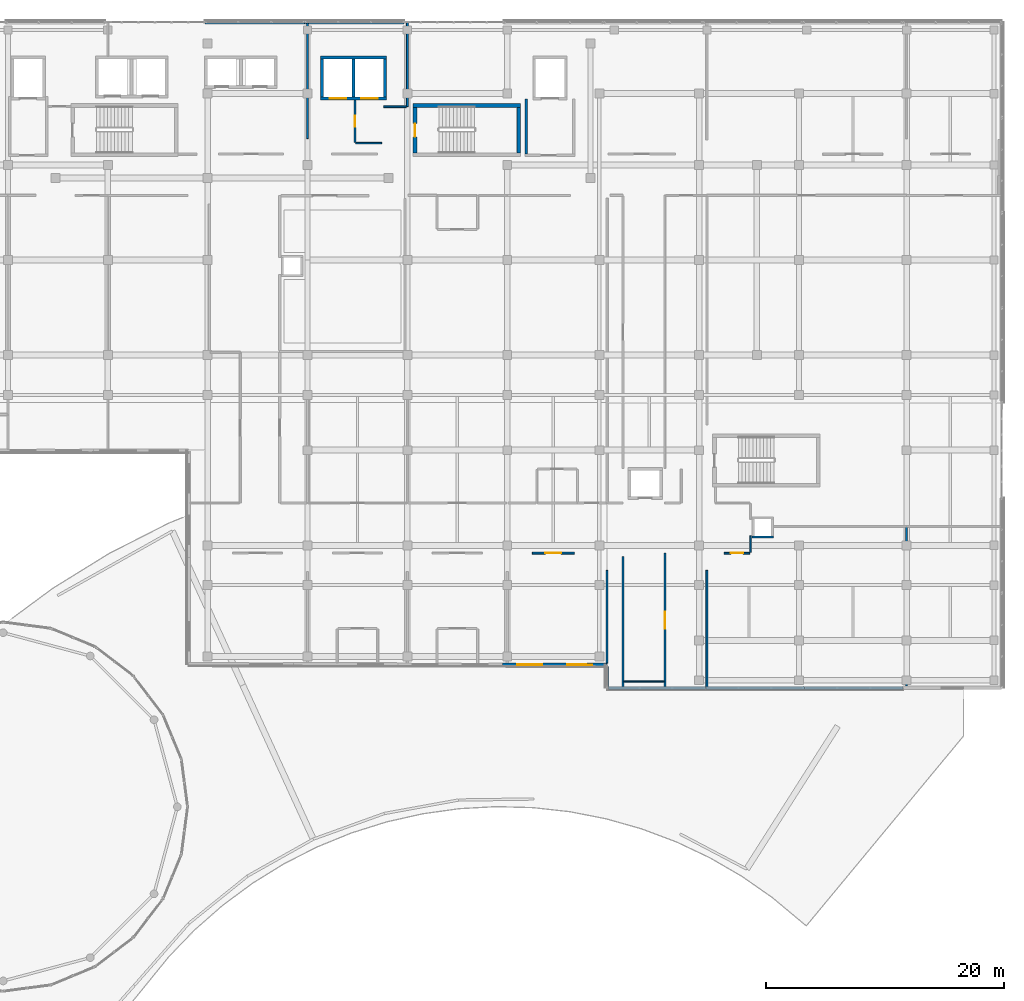
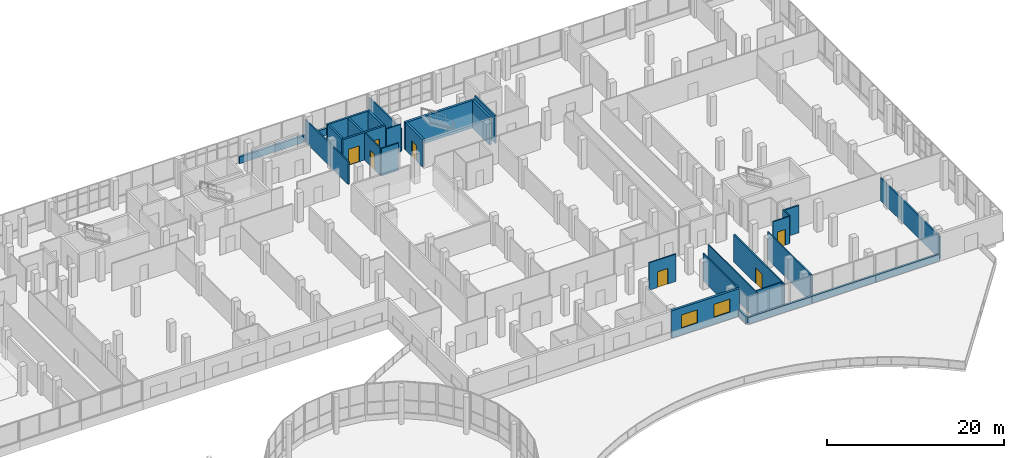
# One storey, part 89 of 101: 31 walls, 7 doors, 2 windows, 9 openings.
"""IFC4 building model written with IfcOpenShell, lengths in metres."""

from ifc_helpers import new_model, si_unit, direction, frame, frame_2d, origin, place, context, subcontext, project, spatial, rectangle, extrude, material, layer, layer_set, type_object, element, fill, save


model = new_model("IFC4")

# Units and contexts
model_context = context("Model", 3, precision=1e-05, world=origin(), true_north=direction((0.0, 1.0)))
body_context = subcontext(model_context, "Body", "Model", "MODEL_VIEW")
ifc_project = project(units=[si_unit("LENGTHUNIT", "METRE"), si_unit("AREAUNIT", "SQUARE_METRE"), si_unit("VOLUMEUNIT", "CUBIC_METRE"), si_unit("PLANEANGLEUNIT", "RADIAN"), si_unit("MASSUNIT", "GRAM", prefix="KILO")], contexts=[model_context])

# Site, building, storey
site_placement = place(None, origin())
site = spatial("IfcSite", under=ifc_project, at=site_placement, CompositionType="ELEMENT")
building_placement = place(site_placement, origin())
building = spatial("IfcBuilding", under=site, at=building_placement, Name="Selatvlak General Hospital", CompositionType="ELEMENT")
storey_placement = place(building_placement, frame((0.0, 0.0, 19.199951171875)))
storey = spatial("IfcBuildingStorey", under=building, at=storey_placement, Name="L04", CompositionType="ELEMENT", Elevation=19.199951171875)

# Wall, openings, windows
ifc_material_1 = material(Name="Precast concrete C40/50 - white fair-faced", Category="concrete")
ifc_layer_1 = layer(ifc_material_1, 0.300048828125, Name="Precast concrete C40/50 - white fair-faced", Category="concrete")
ifc_layer_set_1 = layer_set([ifc_layer_1], Name="Precast concrete C40/50 - white fair-faced")
wall_type_1 = type_object("IfcWallType", Name="WALL-EW-01", PredefinedType="SOLIDWALL", material=ifc_layer_set_1)
wall_1_placement = place(storey_placement, frame((148.800048828125, 65.93994140625, 0.0), z_axis=(0.0, 0.0, 1.0), x_axis=(-0.999998520679, 0.001720069588, 0.0)))
wall_1 = element("IfcWall", 1, at=wall_1_placement, inside=storey, type_object=wall_type_1, Name="L04 exterior wall 0457", PredefinedType="SOLIDWALL", context=body_context, shape_type="SweptSolid", body=[
    extrude(rectangle(XDim=8.800048828125, YDim=0.300048828125, at=frame_2d((4.39990234375, 0.0))), origin(), (0.0, 0.0, 1.0), 3.77001953125),
])
opening_1_placement = place(wall_1_placement, frame((1.238037109375, 0.0, 0.9599609375)))
opening_1 = element("IfcOpeningElement", 2, at=opening_1_placement, cuts=wall_1, Name="Opening WN-21", PredefinedType="OPENING", context=body_context, shape_type="SweptSolid", body=[
    extrude(rectangle(XDim=2.10009765625, YDim=1.800048828125, at=frame_2d((1.050048828125, 0.89990234375))), frame((0.0, 0.159912109375, 0.0), z_axis=(0.0, -1.0, 0.0), x_axis=(1.0, 0.0, 0.0)), (0.0, 0.0, 1.0), 0.320068359375),
])
opening_2_placement = place(wall_1_placement, frame((5.4619140625, 0.0, 0.9599609375)))
opening_2 = element("IfcOpeningElement", 3, at=opening_2_placement, cuts=wall_1, Name="Opening WN-21", PredefinedType="OPENING", context=body_context, shape_type="SweptSolid", body=[
    extrude(rectangle(XDim=2.10009765625, YDim=1.800048828125, at=frame_2d((1.050048828125, 0.89990234375))), frame((0.0, 0.159912109375, 0.0), z_axis=(0.0, -1.0, 0.0), x_axis=(1.0, 0.0, 0.0)), (0.0, 0.0, 1.0), 0.320068359375),
])
ifc_material_2 = material(Name="Thermally broken aluminium Low-E window", Category="aluminium")
window_type = type_object("IfcWindowType", Name="WIN-WN-21", PartitioningType="SINGLE_PANEL", PredefinedType="WINDOW", material=ifc_material_2)
window_1_placement = place(opening_1_placement, origin())
window_1 = element("IfcWindow", 4, at=window_1_placement, inside=storey, type_object=window_type, Name="L04 Bauhaus ribbon window 0076", OverallHeight=1.800048828125, OverallWidth=2.10009765625, PartitioningType="SINGLE_PANEL", PredefinedType="WINDOW", context=body_context, shape_type="SweptSolid", body=[
    extrude(rectangle(XDim=2.10009765625, YDim=1.800048828125, at=frame_2d((1.050048828125, 0.89990234375))), frame((0.0, 0.030029296875, 0.0), z_axis=(0.0, -1.0, 0.0), x_axis=(1.0, 0.0, 0.0)), (0.0, 0.0, 1.0), 0.06005859375),
])
fill(opening_1, window_1)
window_2_placement = place(opening_2_placement, origin())
window_2 = element("IfcWindow", 5, at=window_2_placement, inside=storey, type_object=window_type, Name="L04 Bauhaus ribbon window 0077", OverallHeight=1.800048828125, OverallWidth=2.10009765625, PartitioningType="SINGLE_PANEL", PredefinedType="WINDOW", context=body_context, shape_type="SweptSolid", body=[
    extrude(rectangle(XDim=2.10009765625, YDim=1.800048828125, at=frame_2d((1.050048828125, 0.89990234375))), frame((0.0, 0.030029296875, 0.0), z_axis=(0.0, -1.0, 0.0), x_axis=(1.0, 0.0, 0.0)), (0.0, 0.0, 1.0), 0.06005859375),
])
fill(opening_2, window_2)

# Walls
ifc_material_3 = material(Name="Precast concrete C40/50 - white Bauhaus spandrel", Category="concrete")
ifc_layer_2 = layer(ifc_material_3, 0.280029296875, Name="Precast concrete C40/50 - white Bauhaus spandrel", Category="concrete")
ifc_layer_set_2 = layer_set([ifc_layer_2], Name="Precast concrete C40/50 - white Bauhaus spandrel")
wall_type_2 = type_object("IfcWallType", Name="WALL-EW-02", PredefinedType="SOLIDWALL", material=ifc_layer_set_2)
for number, where, z_axis, x_axis, name in (
    (6, (114.9609375, 120.0, 0.0), (0.0, 0.0, 1.0), (1.0, 0.0, 0.0), "L04 Bauhaus spandrel sill wall 0439"),
    (7, (123.341064453125, 120.0, 0.0), (0.0, 0.0, 1.0), (1.0, 0.0, 0.0), "L04 Bauhaus spandrel sill wall 0440"),
):
    element("IfcWall", number, at=place(storey_placement, frame(where, z_axis=z_axis, x_axis=x_axis)), inside=storey, type_object=wall_type_2, Name=name, PredefinedType="SOLIDWALL", context=body_context, shape_type="SweptSolid", body=[
        extrude(rectangle(XDim=8.3759765625, YDim=0.280029296875, at=frame_2d((4.18798828125, 0.0))), origin(), (0.0, 0.0, 1.0), 0.93994140625),
    ])
wall_2_placement = place(storey_placement, frame((173.697998046875, 64.0009765625, 0.0), z_axis=(0.0, 0.0, 1.0), x_axis=(-1.0, 0.0, 0.0)))
element("IfcWall", 8, at=wall_2_placement, inside=storey, type_object=wall_type_2, Name="L04 Bauhaus spandrel sill wall 0453", PredefinedType="SOLIDWALL", context=body_context, shape_type="SweptSolid", body=[
    extrude(rectangle(XDim=8.2958984375, YDim=0.280029296875, at=frame_2d((4.14794921875, 0.0))), origin(), (0.0, 0.0, 1.0), 0.93994140625),
])
wall_3_placement = place(storey_placement, frame((165.39794921875, 64.0009765625, 0.0), z_axis=(0.0, 0.0, 1.0), x_axis=(-0.99999999307, -0.000117730162, 0.0)))
element("IfcWall", 9, at=wall_3_placement, inside=storey, type_object=wall_type_2, Name="L04 Bauhaus spandrel sill wall 0454", PredefinedType="SOLIDWALL", context=body_context, shape_type="SweptSolid", body=[
    extrude(rectangle(XDim=8.294921875, YDim=0.280029296875, at=frame_2d((4.1474609375, 0.0))), origin(), (0.0, 0.0, 1.0), 0.93994140625),
])
wall_4_placement = place(storey_placement, frame((157.09912109375, 64.0, 0.0), z_axis=(0.0, 0.0, 1.0), x_axis=(-1.0, 0.0, 0.0)))
element("IfcWall", 10, at=wall_4_placement, inside=storey, type_object=wall_type_2, Name="L04 Bauhaus spandrel sill wall 0455", PredefinedType="SOLIDWALL", context=body_context, shape_type="SweptSolid", body=[
    extrude(rectangle(XDim=8.158203125, YDim=0.280029296875, at=frame_2d((4.0791015625, 0.0))), origin(), (0.0, 0.0, 1.0), 0.93994140625),
])
wall_5_placement = place(storey_placement, frame((148.801025390625, 64.139892578125, 0.0), z_axis=(0.0, 0.0, 1.0), x_axis=(-0.000588235192, 0.99999982699, 0.0)))
element("IfcWall", 11, at=wall_5_placement, inside=storey, type_object=wall_type_2, Name="L04 Bauhaus spandrel sill wall 0456", PredefinedType="SOLIDWALL", context=body_context, shape_type="SweptSolid", body=[
    extrude(rectangle(XDim=1.66015625, YDim=0.280029296875, at=frame_2d((0.830078125, 0.0))), origin(), (0.0, 0.0, 1.0), 0.93994140625),
])
ifc_material_4 = material(Name="Concrete C40/50", Category="concrete")
ifc_layer_3 = layer(ifc_material_4, 0.199951171875, Name="Concrete C40/50", Category="concrete")
ifc_layer_set_3 = layer_set([ifc_layer_3], Name="Concrete C40/50")
wall_type_3 = type_object("IfcWallType", Name="WALL-IW-02", PredefinedType="SOLIDWALL", material=ifc_layer_set_3)
wall_6_placement = place(storey_placement, frame((142.0, 113.550048828125, 0.0), z_axis=(0.0, 0.0, 1.0), x_axis=(0.0, -1.0, 0.0)))
element("IfcWall", 12, at=wall_6_placement, inside=storey, type_object=wall_type_3, Name="Firefighting lobby C4 wall L04 W", PredefinedType="SOLIDWALL", context=body_context, shape_type="SweptSolid", body=[
    extrude(rectangle(XDim=4.650146484375, YDim=0.199951171875, at=frame_2d((2.3251953125, 0.0))), origin(), (0.0, 0.0, 1.0), 3.77001953125),
])
wall_7_placement = place(storey_placement, frame((161.0, 76.699951171875, 0.0), z_axis=(0.0, 0.0, 1.0), x_axis=(1.0, 0.0, 0.0)))
element("IfcWall", 13, at=wall_7_placement, inside=storey, type_object=wall_type_3, Name="Service riser 4 shaft wall L04 S", PredefinedType="SOLIDWALL", context=body_context, shape_type="SweptSolid", body=[
    extrude(rectangle(XDim=1.800048828125, YDim=0.199951171875, at=frame_2d((0.89990234375, 0.0))), origin(), (0.0, 0.0, 1.0), 3.77001953125),
])

# Wall, opening, door
ifc_material_5 = material(Name="Acoustic gypsum stud partition")
ifc_layer_4 = layer(ifc_material_5, 0.179931640625, Name="Acoustic gypsum stud partition")
ifc_layer_set_4 = layer_set([ifc_layer_4], Name="Acoustic gypsum stud partition")
wall_type_4 = type_object("IfcWallType", Name="WALL-PT-01", PredefinedType="PARTITIONING", material=ifc_layer_set_4)
wall_8_placement = place(storey_placement, frame((153.659912109375, 64.0419921875, 0.0), z_axis=(0.0, 0.0, 1.0), x_axis=(0.0, 1.0, 0.0)))
wall_8 = element("IfcWall", 14, at=wall_8_placement, inside=storey, type_object=wall_type_4, Name="L04 clinical partition PT-L04-1685", PredefinedType="PARTITIONING", context=body_context, shape_type="SweptSolid", body=[
    extrude(rectangle(XDim=11.298095703125, YDim=0.179931640625, at=frame_2d((5.64892578125, 0.0))), origin(), (0.0, 0.0, 1.0), 3.77001953125),
])
opening_3_placement = place(wall_8_placement, frame((4.948974609375, 0.0, 0.0)))
opening_3 = element("IfcOpeningElement", 15, at=opening_3_placement, cuts=wall_8, Name="Opening D-11", PredefinedType="OPENING", context=body_context, shape_type="SweptSolid", body=[
    extrude(rectangle(XDim=1.39990234375, YDim=2.14990234375, at=frame_2d((0.699951171875, 1.074951171875))), frame((0.0, 0.099853515625, 0.0), z_axis=(0.0, -1.0, 0.0), x_axis=(1.0, 0.0, 0.0)), (0.0, 0.0, 1.0), 0.199951171875),
])
ifc_material_6 = material(Name="Inpatient suite bed door")
door_type_1 = type_object("IfcDoorType", Name="DOOR-D-11", OperationType="NOTDEFINED", PredefinedType="DOOR", material=ifc_material_6)
door_1_placement = place(opening_3_placement, origin())
door_1 = element("IfcDoor", 16, at=door_1_placement, inside=storey, type_object=door_type_1, Name="L04 Lactation Consultation Clinic 05 door", OperationType="SINGLE_SWING_LEFT", OverallHeight=2.14990234375, OverallWidth=1.39990234375, PredefinedType="DOOR", context=body_context, shape_type="SweptSolid", body=[
    extrude(rectangle(XDim=1.39990234375, YDim=2.14990234375, at=frame_2d((0.699951171875, 1.074951171875))), frame((0.0, 0.02490234375, 0.0), z_axis=(0.0, -1.0, 0.0), x_axis=(1.0, 0.0, 0.0)), (0.0, 0.0, 1.0), 0.050048828125),
])
fill(opening_3, door_1)

# Wall
wall_9_placement = place(storey_placement, frame((174.0, 77.5439453125, 0.0), z_axis=(0.0, 0.0, 1.0), x_axis=(0.0, -1.0, 0.0)))
element("IfcWall", 17, at=wall_9_placement, inside=storey, type_object=wall_type_4, Name="L04 clinical partition PT-L04-1690", PredefinedType="PARTITIONING", context=body_context, shape_type="SweptSolid", body=[
    extrude(rectangle(XDim=13.39599609375, YDim=0.179931640625, at=frame_2d((6.697998046875, 0.0))), origin(), (0.0, 0.0, 1.0), 3.1201171875),
])

# Wall, opening, door
ifc_layer_5 = layer(ifc_material_5, 0.1650390625, Name="Acoustic gypsum stud partition")
ifc_layer_set_5 = layer_set([ifc_layer_5], Name="Acoustic gypsum stud partition")
wall_type_5 = type_object("IfcWallType", Name="WALL-PT-02", PredefinedType="PARTITIONING", material=ifc_layer_set_5)
wall_10_placement = place(storey_placement, frame((142.508056640625, 75.340087890625, 0.0), z_axis=(0.0, 0.0, 1.0), x_axis=(1.0, 0.0, 0.0)))
wall_10 = element("IfcWall", 18, at=wall_10_placement, inside=storey, type_object=wall_type_5, Name="L04 clinical partition PT-L04-1681", PredefinedType="PARTITIONING", context=body_context, shape_type="SweptSolid", body=[
    extrude(rectangle(XDim=3.533935546875, YDim=0.1650390625, at=frame_2d((1.76708984375, 0.0))), origin(), (0.0, 0.0, 1.0), 3.77001953125),
])
opening_4_placement = place(wall_10_placement, frame((1.092041015625, 0.0, 0.0)))
opening_4 = element("IfcOpeningElement", 19, at=opening_4_placement, cuts=wall_10, Name="Opening D-10", PredefinedType="OPENING", context=body_context, shape_type="SweptSolid", body=[
    extrude(rectangle(XDim=1.35009765625, YDim=2.14990234375, at=frame_2d((0.675048828125, 1.074951171875))), frame((0.0, 0.092529296875, 0.0), z_axis=(0.0, -1.0, 0.0), x_axis=(1.0, 0.0, 0.0)), (0.0, 0.0, 1.0), 0.18505859375),
])
ifc_material_7 = material(Name="Single patient bed door")
door_type_2 = type_object("IfcDoorType", Name="DOOR-D-10", OperationType="NOTDEFINED", PredefinedType="DOOR", material=ifc_material_7)
door_2_placement = place(opening_4_placement, origin())
door_2 = element("IfcDoor", 20, at=door_2_placement, inside=storey, type_object=door_type_2, Name="L04 Paediatric Play Therapy Room 04 door", OperationType="SINGLE_SWING_RIGHT", OverallHeight=2.14990234375, OverallWidth=1.35009765625, PredefinedType="DOOR", context=body_context, shape_type="SweptSolid", body=[
    extrude(rectangle(XDim=1.35009765625, YDim=2.14990234375, at=frame_2d((0.675048828125, 1.074951171875))), frame((0.0, 0.02490234375, 0.0), z_axis=(0.0, -1.0, 0.0), x_axis=(1.0, 0.0, 0.0)), (0.0, 0.0, 1.0), 0.050048828125),
])
fill(opening_4, door_2)

# Walls
wall_11_placement = place(storey_placement, frame((157.199951171875, 73.887939453125, 0.0), z_axis=(0.0, 0.0, 1.0), x_axis=(0.0, -1.0, 0.0)))
element("IfcWall", 21, at=wall_11_placement, inside=storey, type_object=wall_type_5, Name="L04 clinical partition PT-L04-1686", PredefinedType="PARTITIONING", context=body_context, shape_type="SweptSolid", body=[
    extrude(rectangle(XDim=9.845947265625, YDim=0.1650390625, at=frame_2d((4.9228515625, 0.0))), origin(), (0.0, 0.0, 1.0), 3.77001953125),
])
wall_12_placement = place(storey_placement, frame((132.0, 119.989013671875, 0.0), z_axis=(0.0, 0.0, 1.0), x_axis=(0.0, -1.0, 0.0)))
element("IfcWall", 22, at=wall_12_placement, inside=storey, type_object=wall_type_5, Name="L04 clinical partition PT-L04-1821", PredefinedType="PARTITIONING", context=body_context, shape_type="SweptSolid", body=[
    extrude(rectangle(XDim=7.089111328125, YDim=0.1650390625, at=frame_2d((3.54443359375, 0.0))), origin(), (0.0, 0.0, 1.0), 3.1201171875),
])
ifc_layer_6 = layer(ifc_material_5, 0.14990234375, Name="Acoustic gypsum stud partition")
ifc_layer_set_6 = layer_set([ifc_layer_6], Name="Acoustic gypsum stud partition")
wall_type_6 = type_object("IfcWallType", Name="WALL-PT-03", PredefinedType="PARTITIONING", material=ifc_layer_set_6)
wall_13_placement = place(storey_placement, frame((148.800048828125, 73.887939453125, 0.0), z_axis=(0.0, 0.0, 1.0), x_axis=(0.0, -1.0, 0.0)))
element("IfcWall", 23, at=wall_13_placement, inside=storey, type_object=wall_type_6, Name="L04 clinical partition PT-L04-1682", PredefinedType="PARTITIONING", context=body_context, shape_type="SweptSolid", body=[
    extrude(rectangle(XDim=7.801025390625, YDim=0.14990234375, at=frame_2d((3.900390625, 0.0))), origin(), (0.0, 0.0, 1.0), 3.77001953125),
])

# Wall, opening, door
wall_14_placement = place(storey_placement, frame((158.657958984375, 75.340087890625, 0.0), z_axis=(0.0, 0.0, 1.0), x_axis=(1.0, 0.0, 0.0)))
wall_14 = element("IfcWall", 24, at=wall_14_placement, inside=storey, type_object=wall_type_6, Name="L04 clinical partition PT-L04-1687", PredefinedType="PARTITIONING", context=body_context, shape_type="SweptSolid", body=[
    extrude(rectangle(XDim=2.14208984375, YDim=0.14990234375, at=frame_2d((1.071044921875, 0.0))), origin(), (0.0, 0.0, 1.0), 3.77001953125),
])
opening_5_placement = place(wall_14_placement, frame((0.5458984375, 0.0, 0.0)))
opening_5 = element("IfcOpeningElement", 25, at=opening_5_placement, cuts=wall_14, Name="Opening D-04", PredefinedType="OPENING", context=body_context, shape_type="SweptSolid", body=[
    extrude(rectangle(XDim=1.050048828125, YDim=2.14990234375, at=frame_2d((0.52490234375, 1.074951171875))), frame((0.0, 0.0849609375, 0.0), z_axis=(0.0, -1.0, 0.0), x_axis=(1.0, 0.0, 0.0)), (0.0, 0.0, 1.0), 0.169921875),
])
ifc_material_8 = material(Name="Consultation room door")
door_type_3 = type_object("IfcDoorType", Name="DOOR-D-04", OperationType="NOTDEFINED", PredefinedType="DOOR", material=ifc_material_8)
door_3_placement = place(opening_5_placement, origin())
door_3 = element("IfcDoor", 26, at=door_3_placement, inside=storey, type_object=door_type_3, Name="L04 Multidisciplinary Rehabilitation Gymnasium 06 door", OperationType="SINGLE_SWING_RIGHT", OverallHeight=2.14990234375, OverallWidth=1.050048828125, PredefinedType="DOOR", context=body_context, shape_type="SweptSolid", body=[
    extrude(rectangle(XDim=1.050048828125, YDim=2.14990234375, at=frame_2d((0.52490234375, 1.074951171875))), frame((0.0, 0.02490234375, 0.0), z_axis=(0.0, -1.0, 0.0), x_axis=(1.0, 0.0, 0.0)), (0.0, 0.0, 1.0), 0.050048828125),
])
fill(opening_5, door_3)

# Walls
wall_15_placement = place(storey_placement, frame((123.60009765625, 119.9580078125, 0.0), z_axis=(0.0, 0.0, 1.0), x_axis=(0.0, -1.0, 0.0)))
element("IfcWall", 27, at=wall_15_placement, inside=storey, type_object=wall_type_6, Name="L04 clinical partition PT-L04-1817", PredefinedType="PARTITIONING", context=body_context, shape_type="SweptSolid", body=[
    extrude(rectangle(XDim=9.748046875, YDim=0.14990234375, at=frame_2d((4.8740234375, 0.0))), origin(), (0.0, 0.0, 1.0), 3.1201171875),
])
wall_16_placement = place(storey_placement, frame((131.922119140625, 112.89990234375, 0.0), z_axis=(0.0, 0.0, 1.0), x_axis=(-1.0, 0.0, 0.0)))
element("IfcWall", 28, at=wall_16_placement, inside=storey, type_object=wall_type_6, Name="L04 clinical partition PT-L04-1822", PredefinedType="PARTITIONING", context=body_context, shape_type="SweptSolid", body=[
    extrude(rectangle(XDim=1.912109375, YDim=0.14990234375, at=frame_2d((0.9560546875, 0.0))), origin(), (0.0, 0.0, 1.0), 3.77001953125),
])
ifc_material_9 = material(Name="Moisture-resistant clinical partition")
ifc_layer_7 = layer(ifc_material_9, 0.135009765625, Name="Moisture-resistant clinical partition")
ifc_layer_set_7 = layer_set([ifc_layer_7], Name="Moisture-resistant clinical partition")
wall_type_7 = type_object("IfcWallType", Name="WALL-PT-04", PredefinedType="PARTITIONING", material=ifc_layer_set_7)
wall_17_placement = place(storey_placement, frame((150.139892578125, 75.044921875, 0.0), z_axis=(0.0, 0.0, 1.0), x_axis=(0.0, -1.0, 0.0)))
element("IfcWall", 29, at=wall_17_placement, inside=storey, type_object=wall_type_7, Name="L04 clinical partition PT-L04-1683", PredefinedType="PARTITIONING", context=body_context, shape_type="SweptSolid", body=[
    extrude(rectangle(XDim=11.0029296875, YDim=0.135009765625, at=frame_2d((5.50146484375, 0.0))), origin(), (0.0, 0.0, 1.0), 3.77001953125),
])
wall_18_placement = place(storey_placement, frame((160.860107421875, 75.39990234375, 0.0), z_axis=(0.0, 0.0, 1.0), x_axis=(0.0, 1.0, 0.0)))
element("IfcWall", 30, at=wall_18_placement, inside=storey, type_object=wall_type_7, Name="L04 clinical partition PT-L04-1688", PredefinedType="PARTITIONING", context=body_context, shape_type="SweptSolid", body=[
    extrude(rectangle(XDim=1.400146484375, YDim=0.135009765625, at=frame_2d((0.7001953125, 0.0))), origin(), (0.0, 0.0, 1.0), 3.77001953125),
])

# Wall, opening, door
wall_19_placement = place(storey_placement, frame((127.590087890625, 113.452880859375, 0.0), z_axis=(0.0, 0.0, 1.0), x_axis=(0.0, -1.0, 0.0)))
wall_19 = element("IfcWall", 31, at=wall_19_placement, inside=storey, type_object=wall_type_7, Name="L04 clinical partition PT-L04-1818", PredefinedType="PARTITIONING", context=body_context, shape_type="SweptSolid", body=[
    extrude(rectangle(XDim=3.552978515625, YDim=0.135009765625, at=frame_2d((1.7763671875, 0.0))), origin(), (0.0, 0.0, 1.0), 3.77001953125),
])
opening_6_placement = place(wall_19_placement, frame((1.301025390625, 0.0, 0.0)))
opening_6 = element("IfcOpeningElement", 32, at=opening_6_placement, cuts=wall_19, Name="Opening D-02", PredefinedType="OPENING", context=body_context, shape_type="SweptSolid", body=[
    extrude(rectangle(XDim=0.949951171875, YDim=2.10009765625, at=frame_2d((0.47509765625, 1.050048828125))), frame((0.0, 0.077392578125, 0.0), z_axis=(0.0, -1.0, 0.0), x_axis=(1.0, 0.0, 0.0)), (0.0, 0.0, 1.0), 0.155029296875),
])
ifc_material_10 = material(Name="Moisture-resistant en-suite door")
door_type_4 = type_object("IfcDoorType", Name="DOOR-D-02", OperationType="NOTDEFINED", PredefinedType="DOOR", material=ifc_material_10)
door_4_placement = place(opening_6_placement, origin())
door_4 = element("IfcDoor", 33, at=door_4_placement, inside=storey, type_object=door_type_4, Name="L04 Paediatric Inpatient Ward Bay 37 door", OperationType="SINGLE_SWING_LEFT", OverallHeight=2.10009765625, OverallWidth=0.949951171875, PredefinedType="DOOR", context=body_context, shape_type="SweptSolid", body=[
    extrude(rectangle(XDim=0.949951171875, YDim=2.10009765625, at=frame_2d((0.47509765625, 1.050048828125))), frame((0.0, 0.02490234375, 0.0), z_axis=(0.0, -1.0, 0.0), x_axis=(1.0, 0.0, 0.0)), (0.0, 0.0, 1.0), 0.050048828125),
])
fill(opening_6, door_4)

# Walls
ifc_layer_8 = layer(ifc_material_9, 0.1201171875, Name="Moisture-resistant clinical partition")
ifc_layer_set_8 = layer_set([ifc_layer_8], Name="Moisture-resistant clinical partition")
wall_type_8 = type_object("IfcWallType", Name="WALL-PT-05", PredefinedType="PARTITIONING", material=ifc_layer_set_8)
wall_20_placement = place(storey_placement, frame((150.202880859375, 64.5400390625, 0.0), z_axis=(0.0, 0.0, 1.0), x_axis=(1.0, 0.0, 0.0)))
element("IfcWall", 34, at=wall_20_placement, inside=storey, type_object=wall_type_8, Name="L04 clinical partition PT-L04-1684", PredefinedType="PARTITIONING", context=body_context, shape_type="SweptSolid", body=[
    extrude(rectangle(XDim=3.397216796875, YDim=0.1201171875, at=frame_2d((1.69873046875, 0.0))), origin(), (0.0, 0.0, 1.0), 3.77001953125),
])
wall_21_placement = place(storey_placement, frame((127.64990234375, 109.840087890625, 0.0), z_axis=(0.0, 0.0, 1.0), x_axis=(1.0, 0.0, 0.0)))
element("IfcWall", 35, at=wall_21_placement, inside=storey, type_object=wall_type_8, Name="L04 clinical partition PT-L04-1819", PredefinedType="PARTITIONING", context=body_context, shape_type="SweptSolid", body=[
    extrude(rectangle(XDim=2.190185546875, YDim=0.1201171875, at=frame_2d((1.09521484375, 0.0))), origin(), (0.0, 0.0, 1.0), 3.77001953125),
])
ifc_material_11 = material(Name="Concrete C45/55", Category="concrete")
ifc_layer_9 = layer(ifc_material_11, 0.300048828125, Name="Concrete C45/55", Category="concrete")
ifc_layer_set_9 = layer_set([ifc_layer_9], Name="Concrete C45/55")
wall_type_9 = type_object("IfcWallType", Name="WALL-SW-02", PredefinedType="SHEAR", material=ifc_layer_set_9)
wall_22_placement = place(storey_placement, frame((141.360107421875, 108.989990234375, 0.0), z_axis=(0.0, 0.0, 1.0), x_axis=(0.0, 1.0, 0.0)))
element("IfcWall", 36, at=wall_22_placement, inside=storey, type_object=wall_type_9, Name="ST-04 core shear wall L04 E", PredefinedType="SHEAR", context=body_context, shape_type="SweptSolid", body=[
    extrude(rectangle(XDim=3.860107421875, YDim=0.300048828125, at=frame_2d((1.93017578125, 0.0))), origin(), (0.0, 0.0, 1.0), 3.77001953125),
])
wall_23_placement = place(storey_placement, frame((141.510009765625, 113.0, 0.0), z_axis=(0.0, 0.0, 1.0), x_axis=(-1.0, 0.0, 0.0)))
element("IfcWall", 37, at=wall_23_placement, inside=storey, type_object=wall_type_9, Name="ST-04 core shear wall L04 N", PredefinedType="SHEAR", context=body_context, shape_type="SweptSolid", body=[
    extrude(rectangle(XDim=9.02001953125, YDim=0.300048828125, at=frame_2d((4.510009765625, 0.0))), origin(), (0.0, 0.0, 1.0), 3.77001953125),
])

# Wall, opening, door
wall_24_placement = place(storey_placement, frame((132.639892578125, 112.85009765625, 0.0), z_axis=(0.0, 0.0, 1.0), x_axis=(0.0, -1.0, 0.0)))
wall_24 = element("IfcWall", 38, at=wall_24_placement, inside=storey, type_object=wall_type_9, Name="ST-04 core shear wall L04 W", PredefinedType="SHEAR", context=body_context, shape_type="SweptSolid", body=[
    extrude(rectangle(XDim=3.860107421875, YDim=0.300048828125, at=frame_2d((1.93017578125, 0.0))), origin(), (0.0, 0.0, 1.0), 3.77001953125),
])
opening_7_placement = place(wall_24_placement, frame((1.3798828125, 0.0, 0.0)))
opening_7 = element("IfcOpeningElement", 39, at=opening_7_placement, cuts=wall_24, Name="Opening D-05", PredefinedType="OPENING", context=body_context, shape_type="SweptSolid", body=[
    extrude(rectangle(XDim=1.10009765625, YDim=2.14990234375, at=frame_2d((0.550048828125, 1.074951171875))), frame((0.0, 0.159912109375, 0.0), z_axis=(0.0, -1.0, 0.0), x_axis=(1.0, 0.0, 0.0)), (0.0, 0.0, 1.0), 0.320068359375),
])
ifc_material_12 = material(Name="Protected stair fire door")
door_type_5 = type_object("IfcDoorType", Name="DOOR-D-05", OperationType="NOTDEFINED", PredefinedType="DOOR", material=ifc_material_12)
door_5_placement = place(opening_7_placement, origin())
door_5 = element("IfcDoor", 40, at=door_5_placement, inside=storey, type_object=door_type_5, Name="ST-04 protected stair door on L04", OperationType="SINGLE_SWING_LEFT", OverallHeight=2.14990234375, OverallWidth=1.10009765625, PredefinedType="DOOR", context=body_context, shape_type="SweptSolid", body=[
    extrude(rectangle(XDim=1.10009765625, YDim=2.14990234375, at=frame_2d((0.550048828125, 1.074951171875))), frame((0.0, 0.02490234375, 0.0), z_axis=(0.0, -1.0, 0.0), x_axis=(1.0, 0.0, 0.0)), (0.0, 0.0, 1.0), 0.050048828125),
])
fill(opening_7, door_5)

# Wall, openings, doors
ifc_layer_10 = layer(ifc_material_4, 0.25, Name="Concrete C40/50", Category="concrete")
ifc_layer_set_10 = layer_set([ifc_layer_10], Name="Concrete C40/50")
wall_type_10 = type_object("IfcWallType", Name="WALL-SW-03", PredefinedType="SHEAR", material=ifc_layer_set_10)
wall_25_placement = place(storey_placement, frame((124.699951171875, 113.574951171875, 0.0), z_axis=(0.0, 0.0, 1.0), x_axis=(1.0, 0.0, 0.0)))
wall_25 = element("IfcWall", 41, at=wall_25_placement, inside=storey, type_object=wall_type_10, Name="Lift LB-03-LB-04 shaft wall L04 S", PredefinedType="SHEAR", context=body_context, shape_type="SweptSolid", body=[
    extrude(rectangle(XDim=5.550048828125, YDim=0.25, at=frame_2d((2.77490234375, 0.0))), origin(), (0.0, 0.0, 1.0), 3.77001953125),
])
opening_8_placement = place(wall_25_placement, frame((0.75, 0.0, 0.0)))
opening_8 = element("IfcOpeningElement", 42, at=opening_8_placement, cuts=wall_25, Name="Opening LD-B1", PredefinedType="OPENING", context=body_context, shape_type="SweptSolid", body=[
    extrude(rectangle(XDim=1.39990234375, YDim=2.199951171875, at=frame_2d((0.699951171875, 1.10009765625))), frame((0.0, 0.135009765625, 0.0), z_axis=(0.0, -1.0, 0.0), x_axis=(1.0, 0.0, 0.0)), (0.0, 0.0, 1.0), 0.27001953125),
])
opening_9_placement = place(wall_25_placement, frame((3.39990234375, 0.0, 0.0)))
opening_9 = element("IfcOpeningElement", 43, at=opening_9_placement, cuts=wall_25, Name="Opening LD-B1", PredefinedType="OPENING", context=body_context, shape_type="SweptSolid", body=[
    extrude(rectangle(XDim=1.39990234375, YDim=2.199951171875, at=frame_2d((0.699951171875, 1.10009765625))), frame((0.0, 0.135009765625, 0.0), z_axis=(0.0, -1.0, 0.0), x_axis=(1.0, 0.0, 0.0)), (0.0, 0.0, 1.0), 0.27001953125),
])
ifc_material_13 = material(Name="Stainless steel stretcher lift landing door", Category="steel")
door_type_6 = type_object("IfcDoorType", Name="DOOR-LD-B1", OperationType="DOUBLE_DOOR_SLIDING", PredefinedType="DOOR", material=ifc_material_13)
door_6_placement = place(opening_8_placement, origin())
door_6 = element("IfcDoor", 44, at=door_6_placement, inside=storey, type_object=door_type_6, Name="Lift LB-03 sliding landing door on L04", OperationType="DOUBLE_DOOR_SLIDING", OverallHeight=2.199951171875, OverallWidth=1.39990234375, PredefinedType="DOOR", context=body_context, shape_type="SweptSolid", body=[
    extrude(rectangle(XDim=1.39990234375, YDim=2.199951171875, at=frame_2d((0.699951171875, 1.10009765625))), frame((0.0, 0.02490234375, 0.0), z_axis=(0.0, -1.0, 0.0), x_axis=(1.0, 0.0, 0.0)), (0.0, 0.0, 1.0), 0.050048828125),
])
fill(opening_8, door_6)
door_7_placement = place(opening_9_placement, origin())
door_7 = element("IfcDoor", 45, at=door_7_placement, inside=storey, type_object=door_type_6, Name="Lift LB-04 sliding landing door on L04", OperationType="DOUBLE_DOOR_SLIDING", OverallHeight=2.199951171875, OverallWidth=1.39990234375, PredefinedType="DOOR", context=body_context, shape_type="SweptSolid", body=[
    extrude(rectangle(XDim=1.39990234375, YDim=2.199951171875, at=frame_2d((0.699951171875, 1.10009765625))), frame((0.0, 0.02490234375, 0.0), z_axis=(0.0, -1.0, 0.0), x_axis=(1.0, 0.0, 0.0)), (0.0, 0.0, 1.0), 0.050048828125),
])
fill(opening_9, door_7)

# Walls
wall_26_placement = place(storey_placement, frame((130.125, 113.699951171875, 0.0), z_axis=(0.0, 0.0, 1.0), x_axis=(0.0, 1.0, 0.0)))
element("IfcWall", 46, at=wall_26_placement, inside=storey, type_object=wall_type_10, Name="Lift LB-03-LB-04 shaft wall L04 E", PredefinedType="SHEAR", context=body_context, shape_type="SweptSolid", body=[
    extrude(rectangle(XDim=3.199951171875, YDim=0.25, at=frame_2d((1.60009765625, 0.0))), origin(), (0.0, 0.0, 1.0), 3.77001953125),
])
wall_27_placement = place(storey_placement, frame((130.25, 117.02490234375, 0.0), z_axis=(0.0, 0.0, 1.0), x_axis=(-1.0, 0.0, 0.0)))
element("IfcWall", 47, at=wall_27_placement, inside=storey, type_object=wall_type_10, Name="Lift LB-03-LB-04 shaft wall L04 N", PredefinedType="SHEAR", context=body_context, shape_type="SweptSolid", body=[
    extrude(rectangle(XDim=5.550048828125, YDim=0.25, at=frame_2d((2.77490234375, 0.0))), origin(), (0.0, 0.0, 1.0), 3.77001953125),
])
for number, where, z_axis, x_axis, name in (
    (48, (124.824951171875, 116.89990234375, 0.0), (0.0, 0.0, 1.0), (0.0, -1.0, 0.0), "Lift LB-03-LB-04 shaft wall L04 W"),
    (49, (127.47509765625, 113.699951171875, 0.0), (0.0, 0.0, 1.0), (0.0, 1.0, 0.0), "Lift LB-03-LB-04 dividing shaft wall L04"),
):
    element("IfcWall", number, at=place(storey_placement, frame(where, z_axis=z_axis, x_axis=x_axis)), inside=storey, type_object=wall_type_10, Name=name, PredefinedType="SHEAR", context=body_context, shape_type="SweptSolid", body=[
        extrude(rectangle(XDim=3.199951171875, YDim=0.25, at=frame_2d((1.60009765625, 0.0))), origin(), (0.0, 0.0, 1.0), 3.77001953125),
    ])

save(model, "model.ifc")
